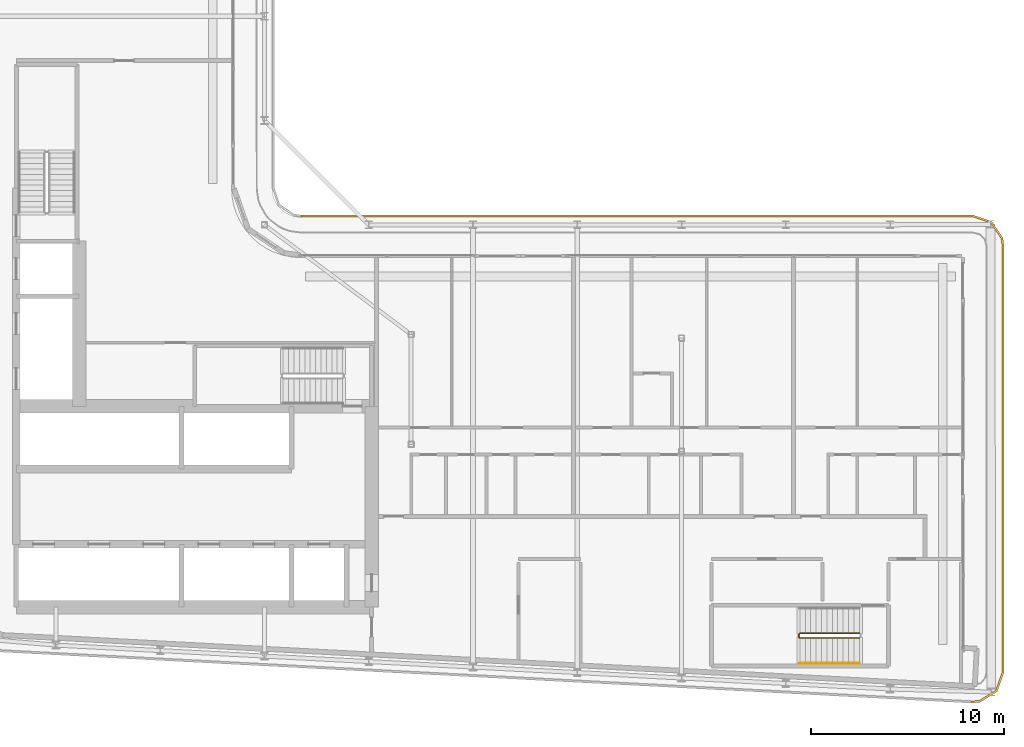
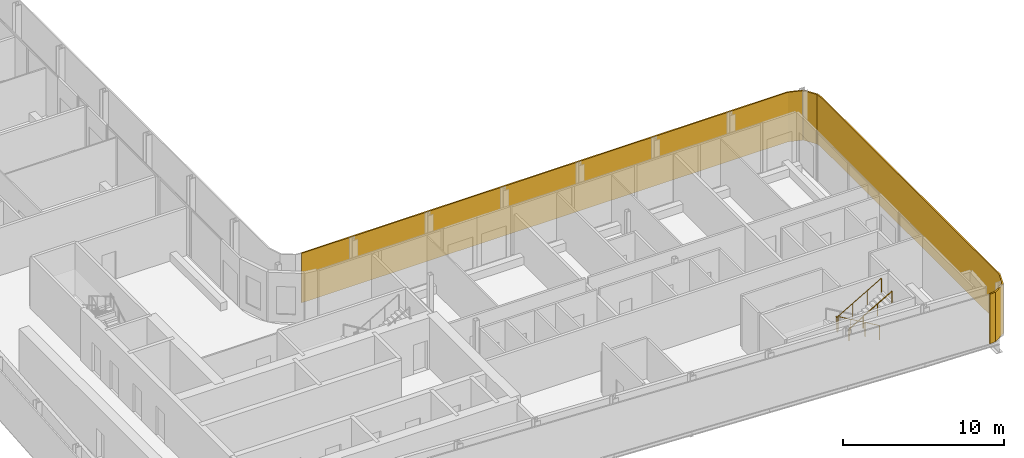
# One storey, part 18 of 22: 2 railings, 1 shading device.
"""IFC4 building model written with IfcOpenShell, lengths in metres."""

from ifc_helpers import new_model, si_unit, direction, frame, origin, origin_2d, place, context, subcontext, project, spatial, polyline, circle, outline, extrude, material, layer, layer_set, type_object, element, save


model = new_model("IFC4")

# Units and contexts
model_context = context("Model", 3, precision=1e-05, world=origin(), true_north=direction((0.0, 1.0)))
body_context = subcontext(model_context, "Body", "Model", "MODEL_VIEW")
ifc_project = project(units=[si_unit("LENGTHUNIT", "METRE"), si_unit("AREAUNIT", "SQUARE_METRE"), si_unit("VOLUMEUNIT", "CUBIC_METRE"), si_unit("PLANEANGLEUNIT", "RADIAN"), si_unit("MASSUNIT", "GRAM", prefix="KILO")], contexts=[model_context])

# Site, building, storey
site_placement = place(None, origin())
site = spatial("IfcSite", under=ifc_project, at=site_placement, CompositionType="ELEMENT")
building_placement = place(site_placement, origin())
building = spatial("IfcBuilding", under=site, at=building_placement, Name="Kheshtan School and Residences Tower", CompositionType="ELEMENT")
storey_placement = place(building_placement, frame((0.0, 0.0, 251.300048828125)))
storey = spatial("IfcBuildingStorey", under=building, at=storey_placement, Name="L59", CompositionType="ELEMENT", Elevation=251.300048828125)

# Shading device
ifc_material_1 = material(Name="Terracotta lattice, extruded ceramic", Category="masonry")
ifc_layer = layer(ifc_material_1, 0.10009765625)
ifc_layer_set = layer_set([ifc_layer], Name="Loggia screen, terracotta lattice")
shading_device_type = type_object("IfcShadingDeviceType", Name="Loggia screen, terracotta lattice", PredefinedType="USERDEFINED", material=ifc_layer_set)
shading_device_placement = place(storey_placement, origin())
element("IfcShadingDevice", 1, at=shading_device_placement, inside=storey, type_object=shading_device_type, Name="Screen L59 2", ObjectType="SCREEN", PredefinedType="USERDEFINED", context=body_context, shape_type="SweptSolid", body=[
    extrude(outline(polyline([(49.5, 46.0), (84.300048828125, 46.0), (85.212890625, 45.68994140625), (85.7490234375, 44.887939453125), (85.800048828125, 44.5), (85.800048828125, 22.43408203125), (85.469970703125, 21.4951171875), (84.6240234375, 20.968994140625), (84.220947265625, 20.93603515625), (84.22900390625, 20.8359375), (84.656005859375, 20.87109375), (85.552978515625, 21.428955078125), (85.89990234375, 22.4169921875), (85.89990234375, 44.507080078125), (85.844970703125, 44.924072265625), (85.277099609375, 45.77392578125), (84.31689453125, 46.10009765625), (49.5, 46.10009765625), (49.5, 46.0)])), origin(), (0.0, 0.0, 1.0), 3.75),
])

# Railings
ifc_material_2 = material(Name="Stainless steel balustrade", Category="steel")
railing_type_1 = type_object("IfcRailingType", Name="Stair guard 1100", PredefinedType="GUARDRAIL", material=ifc_material_2)
railing_1_placement = place(storey_placement, frame((78.409912109375, 24.449951171875, 0.162353515625)))
element("IfcRailing", 2, at=railing_1_placement, inside=storey, type_object=railing_type_1, Name="L59 ST5 stair guard 1", PredefinedType="GUARDRAIL", context=body_context, shape_type="SweptSolid", body=[
    extrude(circle(Radius=0.02392578125, at=origin_2d()), frame((0.0, 0.0, 1.076171875), z_axis=(-0.864873446163, 0.0, 0.501989962173), x_axis=(0.0, -1.0, 0.0)), (0.0, 0.0, 1.0), 3.56103515625),
    extrude(circle(Radius=0.02392578125, at=origin_2d()), frame((-3.079833984375, 0.0, 2.86376953125), z_axis=(-0.707106781187, -0.707106781187, 0.0), x_axis=(0.707106781187, -0.707106781187, 0.0)), (0.0, 0.0, 1.0), 0.07080078125),
    extrude(circle(Radius=0.02392578125, at=origin_2d()), frame((-3.1298828125, -0.050048828125, 2.86376953125), z_axis=(0.0, -1.0, 0.0), x_axis=(1.0, 0.0, 0.0)), (0.0, 0.0, 1.0), 0.14990234375),
    extrude(circle(Radius=0.02392578125, at=origin_2d()), frame((-3.1298828125, -0.199951171875, 2.86376953125), z_axis=(0.282227285176, -0.282227285176, 0.916894497205), x_axis=(0.707106781187, 0.707106781187, 0.0)), (0.0, 0.0, 1.0), 0.17724609375),
    extrude(circle(Radius=0.02392578125, at=origin_2d()), frame((-3.079833984375, -0.25, 3.0263671875), z_axis=(0.864903211148, 0.0, 0.501938676878), x_axis=(0.0, 1.0, 0.0)), (0.0, 0.0, 1.0), 3.560791015625),
    extrude(circle(Radius=0.02099609375, at=origin_2d()), origin(), (0.0, 0.0, 1.0), 1.052001953125),
    extrude(circle(Radius=0.02099609375, at=origin_2d()), frame((-1.026611328125, 0.0, 0.595947265625)), (0.0, 0.0, 1.0), 1.052001953125),
    extrude(circle(Radius=0.02099609375, at=origin_2d()), frame((-2.05322265625, 0.0, 1.191650390625)), (0.0, 0.0, 1.0), 1.052001953125),
    extrude(circle(Radius=0.02099609375, at=origin_2d()), frame((-3.079833984375, 0.0, 1.78759765625)), (0.0, 0.0, 1.0), 1.052001953125),
    extrude(circle(Radius=0.02099609375, at=origin_2d()), frame((-3.1298828125, -0.050048828125, 1.78759765625)), (0.0, 0.0, 1.0), 1.052001953125),
    extrude(circle(Radius=0.02099609375, at=origin_2d()), frame((-3.1298828125, -0.199951171875, 1.78759765625)), (0.0, 0.0, 1.0), 1.052001953125),
    extrude(circle(Radius=0.02099609375, at=origin_2d()), frame((-3.079833984375, -0.25, 1.9501953125)), (0.0, 0.0, 1.0), 1.052001953125),
    extrude(circle(Radius=0.02099609375, at=origin_2d()), frame((-2.05322265625, -0.25, 2.5458984375)), (0.0, 0.0, 1.0), 1.052001953125),
    extrude(circle(Radius=0.02099609375, at=origin_2d()), frame((-1.026611328125, -0.25, 3.141845703125)), (0.0, 0.0, 1.0), 1.052001953125),
    extrude(circle(Radius=0.02099609375, at=origin_2d()), frame((0.0, -0.25, 3.737548828125)), (0.0, 0.0, 1.0), 1.052001953125),
])
ifc_material_3 = material(Name="Stainless steel handrail", Category="steel")
railing_type_2 = type_object("IfcRailingType", Name="Stair handrail 900", PredefinedType="HANDRAIL", material=ifc_material_3)
railing_2_placement = place(storey_placement, frame((75.330078125, 22.89990234375, 2.112548828125)))
element("IfcRailing", 3, at=railing_2_placement, inside=storey, type_object=railing_type_2, Name="L59 ST5 stair handrail 2", PredefinedType="HANDRAIL", context=body_context, shape_type="SweptSolid", body=[
    extrude(circle(Radius=0.02392578125, at=origin_2d()), frame((0.0, 0.0, 0.8759765625), z_axis=(0.864903211148, 0.0, 0.501938676878), x_axis=(0.0, 1.0, 0.0)), (0.0, 0.0, 1.0), 3.560791015625),
    extrude(circle(Radius=0.02099609375, at=origin_2d()), origin(), (0.0, 0.0, 1.0), 0.851806640625),
    extrude(circle(Radius=0.02099609375, at=origin_2d()), frame((1.026611328125, 0.0, 0.595703125)), (0.0, 0.0, 1.0), 0.851806640625),
    extrude(circle(Radius=0.02099609375, at=origin_2d()), frame((2.05322265625, 0.0, 1.191650390625)), (0.0, 0.0, 1.0), 0.851806640625),
    extrude(circle(Radius=0.02099609375, at=origin_2d()), frame((3.079833984375, 0.0, 1.787353515625)), (0.0, 0.0, 1.0), 0.851806640625),
])

save(model, "model.ifc")
